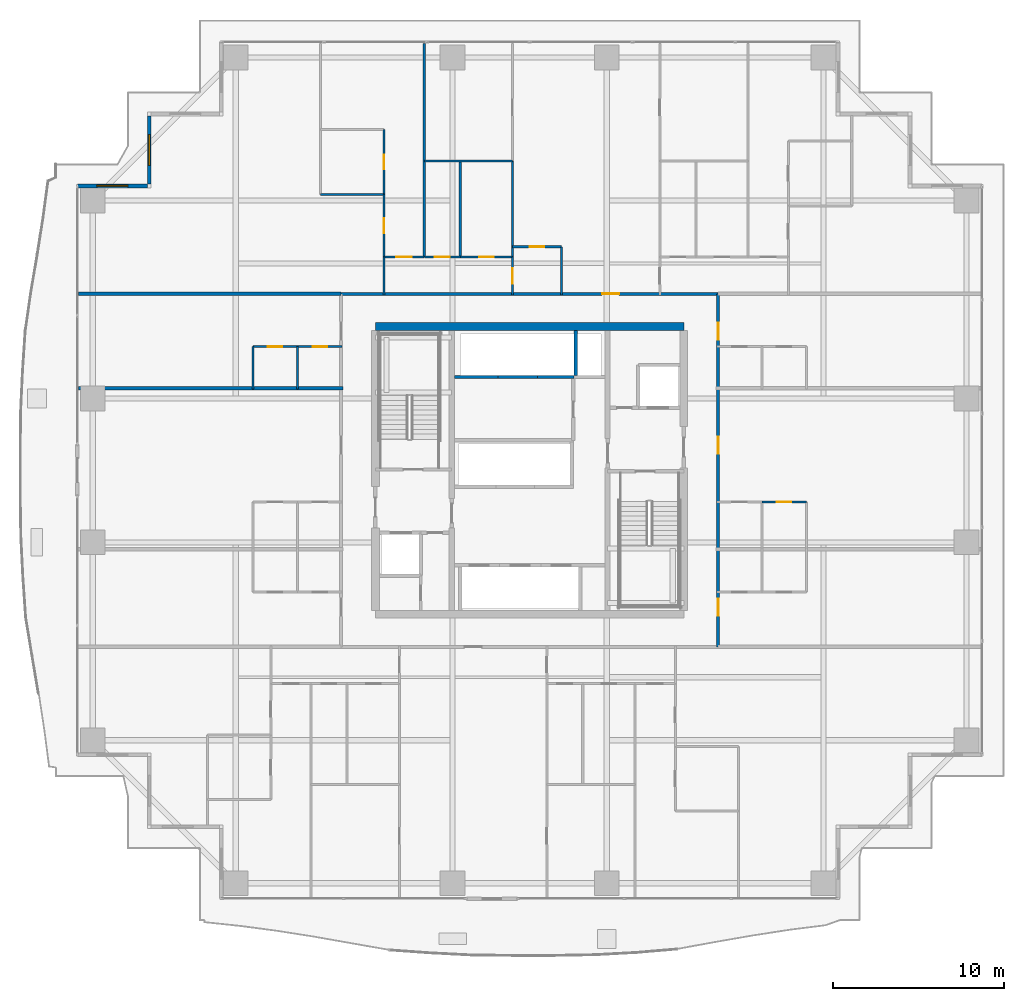
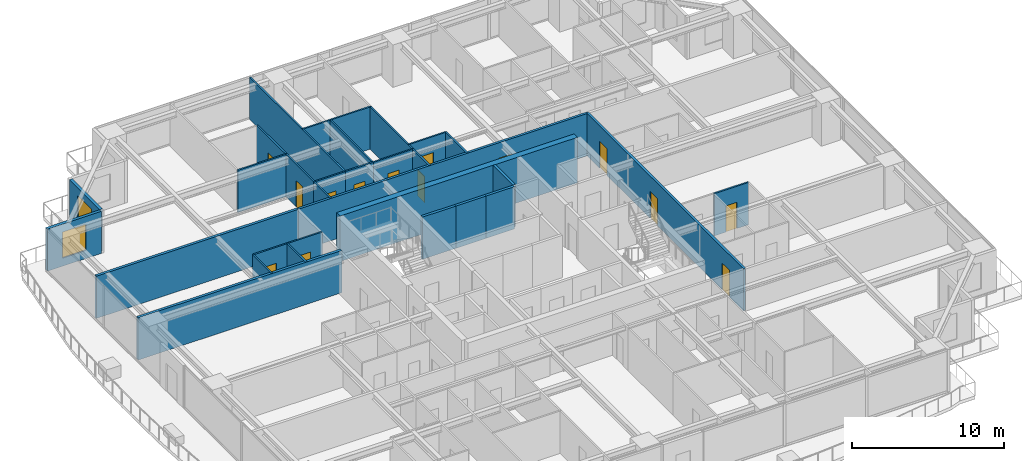
# One storey, part 30 of 40: 30 walls, 14 doors, 2 windows, 16 openings.
"""IFC4 building model written with IfcOpenShell, lengths in metres."""

from ifc_helpers import new_model, si_unit, direction, frame, frame_2d, origin, place, context, subcontext, project, spatial, rectangle, extrude, source, transform, mapped, material, layer, layer_set, type_object, element, fill, save


model = new_model("IFC4")

# Units and contexts
model_context = context("Model", 3, precision=1e-05, world=origin(), true_north=direction((0.0, 1.0)))
body_context = subcontext(model_context, "Body", "Model", "MODEL_VIEW")
ifc_project = project(units=[si_unit("LENGTHUNIT", "METRE"), si_unit("AREAUNIT", "SQUARE_METRE"), si_unit("VOLUMEUNIT", "CUBIC_METRE"), si_unit("PLANEANGLEUNIT", "RADIAN"), si_unit("MASSUNIT", "GRAM", prefix="KILO")], contexts=[model_context])

# Site, building, storey
site_placement = place(None, origin())
site = spatial("IfcSite", under=ifc_project, at=site_placement, CompositionType="ELEMENT")
building_placement = place(site_placement, origin())
building = spatial("IfcBuilding", under=site, at=building_placement, Name="Serunith Strait Residences", CompositionType="ELEMENT")
storey_placement = place(building_placement, frame((0.0, 0.0, 105.449951171875)))
storey = spatial("IfcBuildingStorey", under=building, at=storey_placement, Name="L26", CompositionType="ELEMENT", Elevation=105.449951171875)

# Wall, opening, window
ifc_material_1 = material(Name="Pale-Champagne Aluminium Insulated Panel", Category="aluminium")
ifc_layer_1 = layer(ifc_material_1, 0.219970703125, Name="Pale-Champagne Aluminium Insulated Panel")
ifc_layer_set_1 = layer_set([ifc_layer_1], Name="Pale-Champagne Aluminium Insulated Panel")
wall_type_1 = type_object("IfcWallType", Name="EW-ALUM-220", PredefinedType="ELEMENTEDWALL", material=ifc_layer_set_1)
wall_1_placement = place(storey_placement, frame((10.199951171875, 45.889892578125, 0.0), z_axis=(0.0, 0.0, 1.0), x_axis=(0.0, -1.0, 0.0)))
wall_1 = element("IfcWall", 1, at=wall_1_placement, inside=storey, type_object=wall_type_1, Name="L26 Girih Serrated Corner Wall 14", PredefinedType="ELEMENTEDWALL", context=body_context, shape_type="SweptSolid", body=[
    extrude(rectangle(XDim=3.97998046875, YDim=0.219970703125, at=frame_2d((1.989990234375, 0.0))), origin(), (0.0, 0.0, 1.0), 3.375),
])
opening_1_placement = place(wall_1_placement, frame((1.090087890625, 0.0, 0.64990234375)))
opening_1 = element("IfcOpeningElement", 2, at=opening_1_placement, cuts=wall_1, Name="Opening W-01", PredefinedType="OPENING", context=body_context, shape_type="SweptSolid", body=[
    extrude(rectangle(XDim=1.800048828125, YDim=2.10009765625, at=frame_2d((0.89990234375, 1.050048828125))), frame((0.0, 0.1201171875, 0.0), z_axis=(0.0, -1.0, 0.0), x_axis=(1.0, 0.0, 0.0)), (0.0, 0.0, 1.0), 0.239990234375),
])
ifc_material_2 = material(Name="Ceramic-Fritted Operable Aluminium Window Glass", Category="aluminium")
window_type = type_object("IfcWindowType", Name="WIN-C1", PartitioningType="DOUBLE_PANEL_VERTICAL", PredefinedType="WINDOW", material=ifc_material_2)
shared_shape_1 = source(origin(), body_context, "Body", "SweptSolid", [
    extrude(rectangle(XDim=1.800048828125, YDim=2.10009765625, at=frame_2d((0.89990234375, 1.050048828125))), frame((0.0, 0.030029296875, 0.0), z_axis=(0.0, -1.0, 0.0), x_axis=(1.0, 0.0, 0.0)), (0.0, 0.0, 1.0), 0.06005859375),
])
window_1_placement = place(opening_1_placement, origin())
window_1 = element("IfcWindow", 3, at=window_1_placement, inside=storey, type_object=window_type, Name="L26 Corner Operable Fritted Window 14", OverallHeight=2.10009765625, OverallWidth=1.800048828125, PartitioningType="SINGLE_PANEL", PredefinedType="WINDOW", context=body_context, shape_type="MappedRepresentation", body=[
    mapped(shared_shape_1, transform((0.0, 0.0, 0.0), scale=1.0)),
])
fill(opening_1, window_1)

wall_2_placement = place(storey_placement, frame((10.090087890625, 41.800048828125, 0.0), z_axis=(0.0, 0.0, 1.0), x_axis=(-1.0, 0.0, 0.0)))
wall_2 = element("IfcWall", 4, at=wall_2_placement, inside=storey, type_object=wall_type_1, Name="L26 Girih Serrated Corner Wall 15", PredefinedType="ELEMENTEDWALL", context=body_context, shape_type="SweptSolid", body=[
    extrude(rectangle(XDim=4.090087890625, YDim=0.219970703125, at=frame_2d((2.044921875, 0.0))), origin(), (0.0, 0.0, 1.0), 3.375),
])
opening_2_placement = place(wall_2_placement, frame((1.14501953125, 0.0, 0.64990234375)))
opening_2 = element("IfcOpeningElement", 5, at=opening_2_placement, cuts=wall_2, Name="Opening W-01", PredefinedType="OPENING", context=body_context, shape_type="SweptSolid", body=[
    extrude(rectangle(XDim=1.800048828125, YDim=2.10009765625, at=frame_2d((0.89990234375, 1.050048828125))), frame((0.0, 0.1201171875, 0.0), z_axis=(0.0, -1.0, 0.0), x_axis=(1.0, 0.0, 0.0)), (0.0, 0.0, 1.0), 0.239990234375),
])
window_2_placement = place(opening_2_placement, origin())
window_2 = element("IfcWindow", 6, at=window_2_placement, inside=storey, type_object=window_type, Name="L26 Corner Operable Fritted Window 15", OverallHeight=2.10009765625, OverallWidth=1.800048828125, PartitioningType="SINGLE_PANEL", PredefinedType="WINDOW", context=body_context, shape_type="MappedRepresentation", body=[
    mapped(shared_shape_1, transform((0.0, 0.0, 0.0), scale=1.0)),
])
fill(opening_2, window_2)

# Wall, opening, door
ifc_material_3 = material(Name="Fire-rated acoustic gypsum partition")
ifc_layer_2 = layer(ifc_material_3, 0.179931640625, Name="Fire-rated acoustic gypsum partition")
ifc_layer_set_2 = layer_set([ifc_layer_2], Name="Fire-rated acoustic gypsum partition")
wall_type_2 = type_object("IfcWallType", Name="IW-CORR-180", PredefinedType="PARTITIONING", material=ifc_layer_set_2)
wall_3_placement = place(storey_placement, frame((21.402099609375, 35.5, 0.0), z_axis=(0.0, 0.0, 1.0), x_axis=(1.0, 0.0, 0.0)))
wall_3 = element("IfcWall", 7, at=wall_3_placement, inside=storey, type_object=wall_type_2, Name="L26 Partition Wall 023", PredefinedType="PARTITIONING", context=body_context, shape_type="SweptSolid", body=[
    extrude(rectangle(XDim=21.995849609375, YDim=0.179931640625, at=frame_2d((10.998046875, 0.0))), origin(), (0.0, 0.0, 1.0), 3.39013671875),
])
opening_3_placement = place(wall_3_placement, frame((15.221923828125, 0.0, 0.0)))
opening_3 = element("IfcOpeningElement", 8, at=opening_3_placement, cuts=wall_3, Name="Opening D-APT1000", PredefinedType="OPENING", context=body_context, shape_type="SweptSolid", body=[
    extrude(rectangle(XDim=1.0, YDim=2.14990234375, at=frame_2d((0.5, 1.074951171875))), frame((0.0, 0.10009765625, 0.0), z_axis=(0.0, -1.0, 0.0), x_axis=(1.0, 0.0, 0.0)), (0.0, 0.0, 1.0), 0.199951171875),
])
ifc_material_4 = material(Name="Solid timber engineered fire door", Category="wood")
door_type_1 = type_object("IfcDoorType", Name="ID-APT-1000", OperationType="NOTDEFINED", PredefinedType="DOOR", material=ifc_material_4)
shared_shape_2 = source(origin(), body_context, "Body", "SweptSolid", [
    extrude(rectangle(XDim=1.0, YDim=2.14990234375, at=frame_2d((0.5, 1.074951171875))), frame((0.0, 0.02490234375, 0.0), z_axis=(0.0, -1.0, 0.0), x_axis=(1.0, 0.0, 0.0)), (0.0, 0.0, 1.0), 0.050048828125),
])
door_1_placement = place(opening_3_placement, origin())
door_1 = element("IfcDoor", 9, at=door_1_placement, inside=storey, type_object=door_type_1, Name="L26 Unit 02 Entrance Door", OperationType="SINGLE_SWING_LEFT", OverallHeight=2.14990234375, OverallWidth=1.0, PredefinedType="DOOR", context=body_context, shape_type="MappedRepresentation", body=[
    mapped(shared_shape_2, transform((0.0, 0.0, 0.0), scale=1.0)),
])
fill(opening_3, door_1)

# Wall, openings, doors
wall_4_placement = place(storey_placement, frame((43.39990234375, 14.89990234375, 0.0), z_axis=(0.0, 0.0, 1.0), x_axis=(0.0, 1.0, 0.0)))
wall_4 = element("IfcWall", 10, at=wall_4_placement, inside=storey, type_object=wall_type_2, Name="L26 Partition Wall 025", PredefinedType="PARTITIONING", context=body_context, shape_type="SweptSolid", body=[
    extrude(rectangle(XDim=20.60009765625, YDim=0.179931640625, at=frame_2d((10.300048828125, 0.0))), origin(), (0.0, 0.0, 1.0), 3.39013671875),
])
opening_4_placement = place(wall_4_placement, frame((1.820068359375, 0.0, 0.0)))
opening_4 = element("IfcOpeningElement", 11, at=opening_4_placement, cuts=wall_4, Name="Opening D-APT1000", PredefinedType="OPENING", context=body_context, shape_type="SweptSolid", body=[
    extrude(rectangle(XDim=1.0, YDim=2.14990234375, at=frame_2d((0.5, 1.074951171875))), frame((0.0, 0.10009765625, 0.0), z_axis=(0.0, -1.0, 0.0), x_axis=(1.0, 0.0, 0.0)), (0.0, 0.0, 1.0), 0.199951171875),
])
opening_5_placement = place(wall_4_placement, frame((11.27001953125, 0.0, 0.0)))
opening_5 = element("IfcOpeningElement", 12, at=opening_5_placement, cuts=wall_4, Name="Opening D-APT1000", PredefinedType="OPENING", context=body_context, shape_type="SweptSolid", body=[
    extrude(rectangle(XDim=1.0, YDim=2.14990234375, at=frame_2d((0.5, 1.074951171875))), frame((0.0, 0.10009765625, 0.0), z_axis=(0.0, -1.0, 0.0), x_axis=(1.0, 0.0, 0.0)), (0.0, 0.0, 1.0), 0.199951171875),
])
opening_6_placement = place(wall_4_placement, frame((17.919921875, 0.0, 0.0)))
opening_6 = element("IfcOpeningElement", 13, at=opening_6_placement, cuts=wall_4, Name="Opening D-APT1000", PredefinedType="OPENING", context=body_context, shape_type="SweptSolid", body=[
    extrude(rectangle(XDim=1.0, YDim=2.14990234375, at=frame_2d((0.5, 1.074951171875))), frame((0.0, 0.10009765625, 0.0), z_axis=(0.0, -1.0, 0.0), x_axis=(1.0, 0.0, 0.0)), (0.0, 0.0, 1.0), 0.199951171875),
])
door_2_placement = place(opening_4_placement, origin())
door_2 = element("IfcDoor", 14, at=door_2_placement, inside=storey, type_object=door_type_1, Name="L26 Unit 06 Entrance Door", OperationType="SINGLE_SWING_LEFT", OverallHeight=2.14990234375, OverallWidth=1.0, PredefinedType="DOOR", context=body_context, shape_type="MappedRepresentation", body=[
    mapped(shared_shape_2, transform((0.0, 0.0, 0.0), scale=1.0)),
])
fill(opening_4, door_2)
door_3_placement = place(opening_5_placement, origin())
door_3 = element("IfcDoor", 15, at=door_3_placement, inside=storey, type_object=door_type_1, Name="L26 Unit 07 Entrance Door", OperationType="SINGLE_SWING_RIGHT", OverallHeight=2.14990234375, OverallWidth=1.0, PredefinedType="DOOR", context=body_context, shape_type="MappedRepresentation", body=[
    mapped(shared_shape_2, transform((0.0, 0.0, 0.0), scale=1.0)),
])
fill(opening_5, door_3)
door_4_placement = place(opening_6_placement, origin())
door_4 = element("IfcDoor", 16, at=door_4_placement, inside=storey, type_object=door_type_1, Name="L26 Unit 08 Entrance Door", OperationType="SINGLE_SWING_LEFT", OverallHeight=2.14990234375, OverallWidth=1.0, PredefinedType="DOOR", context=body_context, shape_type="MappedRepresentation", body=[
    mapped(shared_shape_2, transform((0.0, 0.0, 0.0), scale=1.0)),
])
fill(opening_6, door_4)

# Wall, opening, door
ifc_material_5 = material(Name="Lightweight steel-stud gypsum partition", Category="steel")
ifc_layer_3 = layer(ifc_material_5, 0.1201171875, Name="Lightweight steel-stud gypsum partition")
ifc_layer_set_3 = layer_set([ifc_layer_3], Name="Lightweight steel-stud gypsum partition")
wall_type_3 = type_object("IfcWallType", Name="IW-PART-120", PredefinedType="PARTITIONING", material=ifc_layer_set_3)
wall_5_placement = place(storey_placement, frame((31.39990234375, 38.25, 0.0), z_axis=(0.0, 0.0, 1.0), x_axis=(1.0, 0.0, 0.0)))
wall_5 = element("IfcWall", 17, at=wall_5_placement, inside=storey, type_object=wall_type_3, Name="L26 Partition Wall 056", PredefinedType="PARTITIONING", context=body_context, shape_type="SweptSolid", body=[
    extrude(rectangle(XDim=2.85009765625, YDim=0.1201171875, at=frame_2d((1.425048828125, 0.0))), origin(), (0.0, 0.0, 1.0), 3.39013671875),
])
opening_7_placement = place(wall_5_placement, frame((1.0, 0.0, 0.0)))
opening_7 = element("IfcOpeningElement", 18, at=opening_7_placement, cuts=wall_5, Name="Opening D-RM850", PredefinedType="OPENING", context=body_context, shape_type="SweptSolid", body=[
    extrude(rectangle(XDim=0.85009765625, YDim=2.10009765625, at=frame_2d((0.425048828125, 1.050048828125))), frame((0.0, 0.070068359375, 0.0), z_axis=(0.0, -1.0, 0.0), x_axis=(1.0, 0.0, 0.0)), (0.0, 0.0, 1.0), 0.14013671875),
])
ifc_material_6 = material(Name="Engineered timber flush study and kitchen door", Category="wood")
door_type_2 = type_object("IfcDoorType", Name="ID-ROOM-850", OperationType="NOTDEFINED", PredefinedType="DOOR", material=ifc_material_6)
shared_shape_3 = source(origin(), body_context, "Body", "SweptSolid", [
    extrude(rectangle(XDim=0.85009765625, YDim=2.10009765625, at=frame_2d((0.425048828125, 1.050048828125))), frame((0.0, 0.02490234375, 0.0), z_axis=(0.0, -1.0, 0.0), x_axis=(1.0, 0.0, 0.0)), (0.0, 0.0, 1.0), 0.050048828125),
])
door_5_placement = place(opening_7_placement, origin())
door_5 = element("IfcDoor", 19, at=door_5_placement, inside=storey, type_object=door_type_2, Name="L26 Kitchen 2602 Door", OperationType="SINGLE_SWING_RIGHT", OverallHeight=2.10009765625, OverallWidth=0.85009765625, PredefinedType="DOOR", context=body_context, shape_type="MappedRepresentation", body=[
    mapped(shared_shape_3, transform((0.0, 0.0, 0.0), scale=1.0)),
])
fill(opening_7, door_5)

# Wall
wall_6_placement = place(storey_placement, frame((34.25, 38.25, 0.0), z_axis=(0.0, 0.0, 1.0), x_axis=(0.0, -1.0, 0.0)))
element("IfcWall", 20, at=wall_6_placement, inside=storey, type_object=wall_type_3, Name="L26 Partition Wall 057", PredefinedType="PARTITIONING", context=body_context, shape_type="SweptSolid", body=[
    extrude(rectangle(XDim=2.81005859375, YDim=0.1201171875, at=frame_2d((1.405029296875, 0.0))), origin(), (0.0, 0.0, 1.0), 3.39013671875),
])

# Wall, opening, door
wall_7_placement = place(storey_placement, frame((31.39990234375, 37.64990234375, 0.0), z_axis=(0.0, 0.0, 1.0), x_axis=(0.0, -1.0, 0.0)))
wall_7 = element("IfcWall", 21, at=wall_7_placement, inside=storey, type_object=wall_type_3, Name="L26 Partition Wall 058", PredefinedType="PARTITIONING", context=body_context, shape_type="SweptSolid", body=[
    extrude(rectangle(XDim=2.2099609375, YDim=0.1201171875, at=frame_2d((1.10498046875, 0.0))), origin(), (0.0, 0.0, 1.0), 3.39013671875),
])
opening_8_placement = place(wall_7_placement, frame((0.655029296875, 0.0, 0.0)))
opening_8 = element("IfcOpeningElement", 22, at=opening_8_placement, cuts=wall_7, Name="Opening D-RM900", PredefinedType="OPENING", context=body_context, shape_type="SweptSolid", body=[
    extrude(rectangle(XDim=0.89990234375, YDim=2.10009765625, at=frame_2d((0.449951171875, 1.050048828125))), frame((0.0, 0.070068359375, 0.0), z_axis=(0.0, -1.0, 0.0), x_axis=(1.0, 0.0, 0.0)), (0.0, 0.0, 1.0), 0.14013671875),
])
ifc_material_7 = material(Name="Engineered timber flush bedroom door", Category="wood")
door_type_3 = type_object("IfcDoorType", Name="ID-ROOM-900", OperationType="NOTDEFINED", PredefinedType="DOOR", material=ifc_material_7)
shared_shape_4 = source(origin(), body_context, "Body", "SweptSolid", [
    extrude(rectangle(XDim=0.89990234375, YDim=2.10009765625, at=frame_2d((0.449951171875, 1.050048828125))), frame((0.0, 0.02490234375, 0.0), z_axis=(0.0, -1.0, 0.0), x_axis=(1.0, 0.0, 0.0)), (0.0, 0.0, 1.0), 0.050048828125),
])
door_6_placement = place(opening_8_placement, origin())
door_6 = element("IfcDoor", 23, at=door_6_placement, inside=storey, type_object=door_type_3, Name="L26 Hall W 2602 Door", OperationType="SINGLE_SWING_LEFT", OverallHeight=2.10009765625, OverallWidth=0.89990234375, PredefinedType="DOOR", context=body_context, shape_type="MappedRepresentation", body=[
    mapped(shared_shape_4, transform((0.0, 0.0, 0.0), scale=1.0)),
])
fill(opening_8, door_6)

# Walls
wall_8_placement = place(storey_placement, frame((31.39990234375, 43.251953125, 0.0), z_axis=(0.0, 0.0, 1.0), x_axis=(0.0, -1.0, 0.0)))
element("IfcWall", 24, at=wall_8_placement, inside=storey, type_object=wall_type_3, Name="L26 Partition Wall 060", PredefinedType="PARTITIONING", context=body_context, shape_type="SweptSolid", body=[
    extrude(rectangle(XDim=5.599853515625, YDim=0.1201171875, at=frame_2d((2.7998046875, 0.0))), origin(), (0.0, 0.0, 1.0), 3.39013671875),
])
wall_9_placement = place(storey_placement, frame((26.25, 43.25390625, 0.0), z_axis=(0.0, 0.0, 1.0), x_axis=(1.0, 0.0, 0.0)))
element("IfcWall", 25, at=wall_9_placement, inside=storey, type_object=wall_type_3, Name="L26 Partition Wall 061", PredefinedType="PARTITIONING", context=body_context, shape_type="SweptSolid", body=[
    extrude(rectangle(XDim=5.14990234375, YDim=0.1201171875, at=frame_2d((2.574951171875, 0.0))), origin(), (0.0, 0.0, 1.0), 3.39013671875),
])
wall_10_placement = place(storey_placement, frame((26.25, 50.10498046875, 0.0), z_axis=(0.0, 0.0, 1.0), x_axis=(0.0, -1.0, 0.0)))
element("IfcWall", 26, at=wall_10_placement, inside=storey, type_object=wall_type_3, Name="L26 Partition Wall 062", PredefinedType="PARTITIONING", context=body_context, shape_type="SweptSolid", body=[
    extrude(rectangle(XDim=12.455078125, YDim=0.1201171875, at=frame_2d((6.2275390625, 0.0))), origin(), (0.0, 0.0, 1.0), 3.39013671875),
])
wall_11_placement = place(storey_placement, frame((28.35009765625, 43.25390625, 0.0), z_axis=(0.0, 0.0, 1.0), x_axis=(0.0, -1.0, 0.0)))
element("IfcWall", 27, at=wall_11_placement, inside=storey, type_object=wall_type_3, Name="L26 Partition Wall 063", PredefinedType="PARTITIONING", context=body_context, shape_type="SweptSolid", body=[
    extrude(rectangle(XDim=5.60400390625, YDim=0.1201171875, at=frame_2d((2.802001953125, 0.0))), origin(), (0.0, 0.0, 1.0), 3.39013671875),
])

# Wall, opening, door
wall_12_placement = place(storey_placement, frame((26.25, 37.64990234375, 0.0), z_axis=(0.0, 0.0, 1.0), x_axis=(1.0, 0.0, 0.0)))
wall_12 = element("IfcWall", 28, at=wall_12_placement, inside=storey, type_object=wall_type_3, Name="L26 Partition Wall 064", PredefinedType="PARTITIONING", context=body_context, shape_type="SweptSolid", body=[
    extrude(rectangle(XDim=2.10009765625, YDim=0.1201171875, at=frame_2d((1.050048828125, 0.0))), origin(), (0.0, 0.0, 1.0), 3.39013671875),
])
opening_9_placement = place(wall_12_placement, frame((0.625, 0.0, 0.0)))
opening_9 = element("IfcOpeningElement", 29, at=opening_9_placement, cuts=wall_12, Name="Opening D-BTH850", PredefinedType="OPENING", context=body_context, shape_type="SweptSolid", body=[
    extrude(rectangle(XDim=0.85009765625, YDim=2.10009765625, at=frame_2d((0.425048828125, 1.050048828125))), frame((0.0, 0.070068359375, 0.0), z_axis=(0.0, -1.0, 0.0), x_axis=(1.0, 0.0, 0.0)), (0.0, 0.0, 1.0), 0.14013671875),
])
ifc_material_8 = material(Name="Moisture-resistant timber bathroom door", Category="wood")
door_type_4 = type_object("IfcDoorType", Name="ID-BATH-850", OperationType="NOTDEFINED", PredefinedType="DOOR", material=ifc_material_8)
door_7_placement = place(opening_9_placement, origin())
door_7 = element("IfcDoor", 30, at=door_7_placement, inside=storey, type_object=door_type_4, Name="L26 Bathroom 2602 Door", OperationType="SINGLE_SWING_LEFT", OverallHeight=2.10009765625, OverallWidth=0.85009765625, PredefinedType="DOOR", context=body_context, shape_type="MappedRepresentation", body=[
    mapped(shared_shape_3, transform((0.0, 0.0, 0.0), scale=1.0)),
])
fill(opening_9, door_7)

wall_13_placement = place(storey_placement, frame((28.35205078125, 37.64990234375, 0.0), z_axis=(0.0, 0.0, 1.0), x_axis=(1.0, 0.0, 0.0)))
wall_13 = element("IfcWall", 31, at=wall_13_placement, inside=storey, type_object=wall_type_3, Name="L26 Partition Wall 065", PredefinedType="PARTITIONING", context=body_context, shape_type="SweptSolid", body=[
    extrude(rectangle(XDim=3.0478515625, YDim=0.1201171875, at=frame_2d((1.52392578125, 0.0))), origin(), (0.0, 0.0, 1.0), 3.39013671875),
])
opening_10_placement = place(wall_13_placement, frame((1.09912109375, 0.0, 0.0)))
opening_10 = element("IfcOpeningElement", 32, at=opening_10_placement, cuts=wall_13, Name="Opening D-RM850", PredefinedType="OPENING", context=body_context, shape_type="SweptSolid", body=[
    extrude(rectangle(XDim=0.85009765625, YDim=2.10009765625, at=frame_2d((0.425048828125, 1.050048828125))), frame((0.0, 0.070068359375, 0.0), z_axis=(0.0, -1.0, 0.0), x_axis=(1.0, 0.0, 0.0)), (0.0, 0.0, 1.0), 0.14013671875),
])
door_8_placement = place(opening_10_placement, origin())
door_8 = element("IfcDoor", 33, at=door_8_placement, inside=storey, type_object=door_type_2, Name="L26 Formal Dining Room 2602 Door", OperationType="SINGLE_SWING_RIGHT", OverallHeight=2.10009765625, OverallWidth=0.85009765625, PredefinedType="DOOR", context=body_context, shape_type="MappedRepresentation", body=[
    mapped(shared_shape_3, transform((0.0, 0.0, 0.0), scale=1.0)),
])
fill(opening_10, door_8)

wall_14_placement = place(storey_placement, frame((23.89990234375, 37.64990234375, 0.0), z_axis=(0.0, 0.0, 1.0), x_axis=(1.0, 0.0, 0.0)))
wall_14 = element("IfcWall", 34, at=wall_14_placement, inside=storey, type_object=wall_type_3, Name="L26 Partition Wall 066", PredefinedType="PARTITIONING", context=body_context, shape_type="SweptSolid", body=[
    extrude(rectangle(XDim=2.34814453125, YDim=0.1201171875, at=frame_2d((1.174072265625, 0.0))), origin(), (0.0, 0.0, 1.0), 3.39013671875),
])
opening_11_placement = place(wall_14_placement, frame((0.72412109375, 0.0, 0.0)))
opening_11 = element("IfcOpeningElement", 35, at=opening_11_placement, cuts=wall_14, Name="Opening D-RM900", PredefinedType="OPENING", context=body_context, shape_type="SweptSolid", body=[
    extrude(rectangle(XDim=0.89990234375, YDim=2.10009765625, at=frame_2d((0.449951171875, 1.050048828125))), frame((0.0, 0.070068359375, 0.0), z_axis=(0.0, -1.0, 0.0), x_axis=(1.0, 0.0, 0.0)), (0.0, 0.0, 1.0), 0.14013671875),
])
door_9_placement = place(opening_11_placement, origin())
door_9 = element("IfcDoor", 36, at=door_9_placement, inside=storey, type_object=door_type_3, Name="L26 Master Bedroom W 2602 Door", OperationType="SINGLE_SWING_LEFT", OverallHeight=2.10009765625, OverallWidth=0.89990234375, PredefinedType="DOOR", context=body_context, shape_type="MappedRepresentation", body=[
    mapped(shared_shape_4, transform((0.0, 0.0, 0.0), scale=1.0)),
])
fill(opening_11, door_9)

# Wall
wall_15_placement = place(storey_placement, frame((20.199951171875, 41.306884765625, 0.0), z_axis=(0.0, 0.0, 1.0), x_axis=(1.0, 0.0, 0.0)))
element("IfcWall", 37, at=wall_15_placement, inside=storey, type_object=wall_type_3, Name="L26 Partition Wall 069", PredefinedType="PARTITIONING", context=body_context, shape_type="SweptSolid", body=[
    extrude(rectangle(XDim=3.699951171875, YDim=0.1201171875, at=frame_2d((1.85009765625, 0.0))), origin(), (0.0, 0.0, 1.0), 3.39013671875),
])

# Wall, opening, door
wall_16_placement = place(storey_placement, frame((23.89990234375, 45.091064453125, 0.0), z_axis=(0.0, 0.0, 1.0), x_axis=(0.0, -1.0, 0.0)))
wall_16 = element("IfcWall", 38, at=wall_16_placement, inside=storey, type_object=wall_type_3, Name="L26 Partition Wall 070", PredefinedType="PARTITIONING", context=body_context, shape_type="SweptSolid", body=[
    extrude(rectangle(XDim=3.7841796875, YDim=0.1201171875, at=frame_2d((1.89208984375, 0.0))), origin(), (0.0, 0.0, 1.0), 3.39013671875),
])
opening_12_placement = place(wall_16_placement, frame((1.467041015625, 0.0, 0.0)))
opening_12 = element("IfcOpeningElement", 39, at=opening_12_placement, cuts=wall_16, Name="Opening D-BTH850", PredefinedType="OPENING", context=body_context, shape_type="SweptSolid", body=[
    extrude(rectangle(XDim=0.85009765625, YDim=2.10009765625, at=frame_2d((0.425048828125, 1.050048828125))), frame((0.0, 0.070068359375, 0.0), z_axis=(0.0, -1.0, 0.0), x_axis=(1.0, 0.0, 0.0)), (0.0, 0.0, 1.0), 0.14013671875),
])
door_10_placement = place(opening_12_placement, origin())
door_10 = element("IfcDoor", 40, at=door_10_placement, inside=storey, type_object=door_type_4, Name="L26 En-suite Bathroom W 2602 Door", OperationType="SINGLE_SWING_RIGHT", OverallHeight=2.10009765625, OverallWidth=0.85009765625, PredefinedType="DOOR", context=body_context, shape_type="MappedRepresentation", body=[
    mapped(shared_shape_3, transform((0.0, 0.0, 0.0), scale=1.0)),
])
fill(opening_12, door_10)

wall_17_placement = place(storey_placement, frame((23.89990234375, 41.304931640625, 0.0), z_axis=(0.0, 0.0, 1.0), x_axis=(0.0, -1.0, 0.0)))
wall_17 = element("IfcWall", 41, at=wall_17_placement, inside=storey, type_object=wall_type_3, Name="L26 Partition Wall 071", PredefinedType="PARTITIONING", context=body_context, shape_type="SweptSolid", body=[
    extrude(rectangle(XDim=3.655029296875, YDim=0.1201171875, at=frame_2d((1.82763671875, 0.0))), origin(), (0.0, 0.0, 1.0), 3.39013671875),
])
opening_13_placement = place(wall_17_placement, frame((1.403076171875, 0.0, 0.0)))
opening_13 = element("IfcOpeningElement", 42, at=opening_13_placement, cuts=wall_17, Name="Opening D-RM850", PredefinedType="OPENING", context=body_context, shape_type="SweptSolid", body=[
    extrude(rectangle(XDim=0.85009765625, YDim=2.10009765625, at=frame_2d((0.425048828125, 1.050048828125))), frame((0.0, 0.070068359375, 0.0), z_axis=(0.0, -1.0, 0.0), x_axis=(1.0, 0.0, 0.0)), (0.0, 0.0, 1.0), 0.14013671875),
])
door_11_placement = place(opening_13_placement, origin())
door_11 = element("IfcDoor", 43, at=door_11_placement, inside=storey, type_object=door_type_2, Name="L26 Wardrobe W 2602 Door", OperationType="SINGLE_SWING_LEFT", OverallHeight=2.10009765625, OverallWidth=0.85009765625, PredefinedType="DOOR", context=body_context, shape_type="MappedRepresentation", body=[
    mapped(shared_shape_3, transform((0.0, 0.0, 0.0), scale=1.0)),
])
fill(opening_13, door_11)

# Wall
wall_18_placement = place(storey_placement, frame((23.89990234375, 37.64794921875, 0.0), z_axis=(0.0, 0.0, 1.0), x_axis=(0.0, -1.0, 0.0)))
element("IfcWall", 44, at=wall_18_placement, inside=storey, type_object=wall_type_3, Name="L26 Partition Wall 072", PredefinedType="PARTITIONING", context=body_context, shape_type="SweptSolid", body=[
    extrude(rectangle(XDim=2.2080078125, YDim=0.1201171875, at=frame_2d((1.10400390625, 0.0))), origin(), (0.0, 0.0, 1.0), 3.39013671875),
])

# Wall, opening, door
wall_19_placement = place(storey_placement, frame((16.25, 32.419921875, 0.0), z_axis=(0.0, 0.0, 1.0), x_axis=(1.0, 0.0, 0.0)))
wall_19 = element("IfcWall", 45, at=wall_19_placement, inside=storey, type_object=wall_type_3, Name="L26 Partition Wall 096", PredefinedType="PARTITIONING", context=body_context, shape_type="SweptSolid", body=[
    extrude(rectangle(XDim=2.60009765625, YDim=0.1201171875, at=frame_2d((1.300048828125, 0.0))), origin(), (0.0, 0.0, 1.0), 3.39013671875),
])
opening_14_placement = place(wall_19_placement, frame((0.875, 0.0, 0.0)))
opening_14 = element("IfcOpeningElement", 46, at=opening_14_placement, cuts=wall_19, Name="Opening D-RM850", PredefinedType="OPENING", context=body_context, shape_type="SweptSolid", body=[
    extrude(rectangle(XDim=0.85009765625, YDim=2.10009765625, at=frame_2d((0.425048828125, 1.050048828125))), frame((0.0, 0.070068359375, 0.0), z_axis=(0.0, -1.0, 0.0), x_axis=(1.0, 0.0, 0.0)), (0.0, 0.0, 1.0), 0.14013671875),
])
door_12_placement = place(opening_14_placement, origin())
door_12 = element("IfcDoor", 47, at=door_12_placement, inside=storey, type_object=door_type_2, Name="L26 Kitchen 2605 Door", OperationType="SINGLE_SWING_LEFT", OverallHeight=2.10009765625, OverallWidth=0.85009765625, PredefinedType="DOOR", context=body_context, shape_type="MappedRepresentation", body=[
    mapped(shared_shape_3, transform((0.0, 0.0, 0.0), scale=1.0)),
])
fill(opening_14, door_12)

wall_20_placement = place(storey_placement, frame((18.85205078125, 32.419921875, 0.0), z_axis=(0.0, 0.0, 1.0), x_axis=(1.0, 0.0, 0.0)))
wall_20 = element("IfcWall", 48, at=wall_20_placement, inside=storey, type_object=wall_type_3, Name="L26 Partition Wall 097", PredefinedType="PARTITIONING", context=body_context, shape_type="SweptSolid", body=[
    extrude(rectangle(XDim=2.60791015625, YDim=0.1201171875, at=frame_2d((1.303955078125, 0.0))), origin(), (0.0, 0.0, 1.0), 3.39013671875),
])
opening_15_placement = place(wall_20_placement, frame((0.87890625, 0.0, 0.0)))
opening_15 = element("IfcOpeningElement", 49, at=opening_15_placement, cuts=wall_20, Name="Opening D-BTH850", PredefinedType="OPENING", context=body_context, shape_type="SweptSolid", body=[
    extrude(rectangle(XDim=0.85009765625, YDim=2.10009765625, at=frame_2d((0.425048828125, 1.050048828125))), frame((0.0, 0.070068359375, 0.0), z_axis=(0.0, -1.0, 0.0), x_axis=(1.0, 0.0, 0.0)), (0.0, 0.0, 1.0), 0.14013671875),
])
door_13_placement = place(opening_15_placement, origin())
door_13 = element("IfcDoor", 50, at=door_13_placement, inside=storey, type_object=door_type_4, Name="L26 Bathroom 2605 Door", OperationType="SINGLE_SWING_RIGHT", OverallHeight=2.10009765625, OverallWidth=0.85009765625, PredefinedType="DOOR", context=body_context, shape_type="MappedRepresentation", body=[
    mapped(shared_shape_3, transform((0.0, 0.0, 0.0), scale=1.0)),
])
fill(opening_15, door_13)

# Walls
for number, where, z_axis, x_axis, name in (
    (51, (18.85009765625, 29.93994140625, 0.0), (0.0, 0.0, 1.0), (0.0, 1.0, 0.0), "L26 Partition Wall 098"),
    (52, (16.25, 29.93994140625, 0.0), (0.0, 0.0, 1.0), (0.0, 1.0, 0.0), "L26 Partition Wall 099"),
):
    element("IfcWall", number, at=place(storey_placement, frame(where, z_axis=z_axis, x_axis=x_axis)), inside=storey, type_object=wall_type_3, Name=name, PredefinedType="PARTITIONING", context=body_context, shape_type="SweptSolid", body=[
        extrude(rectangle(XDim=2.47998046875, YDim=0.1201171875, at=frame_2d((1.239990234375, 0.0))), origin(), (0.0, 0.0, 1.0), 3.39013671875),
    ])

# Wall, opening, door
wall_21_placement = place(storey_placement, frame((48.550048828125, 23.35009765625, 0.0), z_axis=(0.0, 0.0, 1.0), x_axis=(-1.0, 0.0, 0.0)))
wall_21 = element("IfcWall", 53, at=wall_21_placement, inside=storey, type_object=wall_type_3, Name="L26 Partition Wall 104", PredefinedType="PARTITIONING", context=body_context, shape_type="SweptSolid", body=[
    extrude(rectangle(XDim=2.60009765625, YDim=0.1201171875, at=frame_2d((1.300048828125, 0.0))), origin(), (0.0, 0.0, 1.0), 3.39013671875),
])
opening_16_placement = place(wall_21_placement, frame((0.875, 0.0, 0.0)))
opening_16 = element("IfcOpeningElement", 54, at=opening_16_placement, cuts=wall_21, Name="Opening D-RM850", PredefinedType="OPENING", context=body_context, shape_type="SweptSolid", body=[
    extrude(rectangle(XDim=0.85009765625, YDim=2.10009765625, at=frame_2d((0.425048828125, 1.050048828125))), frame((0.0, 0.070068359375, 0.0), z_axis=(0.0, -1.0, 0.0), x_axis=(1.0, 0.0, 0.0)), (0.0, 0.0, 1.0), 0.14013671875),
])
door_14_placement = place(opening_16_placement, origin())
door_14 = element("IfcDoor", 55, at=door_14_placement, inside=storey, type_object=door_type_2, Name="L26 Kitchen 2607 Door", OperationType="SINGLE_SWING_LEFT", OverallHeight=2.10009765625, OverallWidth=0.85009765625, PredefinedType="DOOR", context=body_context, shape_type="MappedRepresentation", body=[
    mapped(shared_shape_3, transform((0.0, 0.0, 0.0), scale=1.0)),
])
fill(opening_16, door_14)

# Walls
ifc_material_9 = material(Name="Twin-stud acoustic gypsum board partition")
ifc_layer_4 = layer(ifc_material_9, 0.199951171875, Name="Twin-stud acoustic gypsum board partition")
ifc_layer_set_4 = layer_set([ifc_layer_4], Name="Twin-stud acoustic gypsum board partition")
wall_type_4 = type_object("IfcWallType", Name="IW-PARTY-200", PredefinedType="PARTITIONING", material=ifc_layer_set_4)
wall_22_placement = place(storey_placement, frame((6.08203125, 30.0, 0.0), z_axis=(0.0, 0.0, 1.0), x_axis=(1.0, 0.0, 0.0)))
element("IfcWall", 56, at=wall_22_placement, inside=storey, type_object=wall_type_4, Name="L26 Partition Wall 015", PredefinedType="PARTITIONING", context=body_context, shape_type="SweptSolid", body=[
    extrude(rectangle(XDim=15.43798828125, YDim=0.199951171875, at=frame_2d((7.718994140625, 0.0))), origin(), (0.0, 0.0, 1.0), 3.39013671875),
])
wall_23_placement = place(storey_placement, frame((6.08203125, 35.5, 0.0), z_axis=(0.0, 0.0, 1.0), x_axis=(1.0, 0.0, 0.0)))
element("IfcWall", 57, at=wall_23_placement, inside=storey, type_object=wall_type_4, Name="L26 Partition Wall 020", PredefinedType="PARTITIONING", context=body_context, shape_type="SweptSolid", body=[
    extrude(rectangle(XDim=15.31787109375, YDim=0.199951171875, at=frame_2d((7.658935546875, 0.0))), origin(), (0.0, 0.0, 1.0), 3.39013671875),
])
ifc_material_10 = material(Name="Autoclaved aerated concrete blockwork", Category="masonry")
ifc_layer_5 = layer(ifc_material_10, 0.199951171875, Name="Autoclaved aerated concrete blockwork")
ifc_layer_set_5 = layer_set([ifc_layer_5], Name="Autoclaved aerated concrete blockwork")
wall_type_5 = type_object("IfcWallType", Name="IW-SHAFT-200", PredefinedType="STANDARD", material=ifc_layer_set_5)
wall_24_placement = place(storey_placement, frame((28.0, 30.64990234375, 0.0), z_axis=(0.0, 0.0, 1.0), x_axis=(1.0, 0.0, 0.0)))
element("IfcWall", 58, at=wall_24_placement, inside=storey, type_object=wall_type_5, Name="L26 PL-7 South Shaft Wall", PredefinedType="STANDARD", context=body_context, shape_type="SweptSolid", body=[
    extrude(rectangle(XDim=2.550048828125, YDim=0.199951171875, at=frame_2d((1.27490234375, 0.0))), origin(), (0.0, 0.0, 1.0), 3.39013671875),
])
wall_25_placement = place(storey_placement, frame((30.550048828125, 30.64990234375, 0.0), z_axis=(0.0, 0.0, 1.0), x_axis=(1.0, 0.0, 0.0)))
element("IfcWall", 59, at=wall_25_placement, inside=storey, type_object=wall_type_5, Name="L26 PL-8 South Shaft Wall", PredefinedType="STANDARD", context=body_context, shape_type="SweptSolid", body=[
    extrude(rectangle(XDim=2.300048828125, YDim=0.199951171875, at=frame_2d((1.14990234375, 0.0))), origin(), (0.0, 0.0, 1.0), 3.39013671875),
])
wall_26_placement = place(storey_placement, frame((32.85009765625, 30.64990234375, 0.0), z_axis=(0.0, 0.0, 1.0), x_axis=(1.0, 0.0, 0.0)))
element("IfcWall", 60, at=wall_26_placement, inside=storey, type_object=wall_type_5, Name="L26 PL-9 South Shaft Wall", PredefinedType="STANDARD", context=body_context, shape_type="SweptSolid", body=[
    extrude(rectangle(XDim=2.14990234375, YDim=0.199951171875, at=frame_2d((1.074951171875, 0.0))), origin(), (0.0, 0.0, 1.0), 3.39013671875),
])
wall_27_placement = place(storey_placement, frame((35.10009765625, 30.75, 0.0), z_axis=(0.0, 0.0, 1.0), x_axis=(0.0, 1.0, 0.0)))
element("IfcWall", 61, at=wall_27_placement, inside=storey, type_object=wall_type_5, Name="L26 SL-1 West Shaft Wall", PredefinedType="STANDARD", context=body_context, shape_type="SweptSolid", body=[
    extrude(rectangle(XDim=2.625, YDim=0.199951171875, at=frame_2d((1.3125, 0.0))), origin(), (0.0, 0.0, 1.0), 3.39013671875),
])
ifc_material_11 = material(Name="Concrete C80/95", Category="concrete")
ifc_layer_6 = layer(ifc_material_11, 0.449951171875, Name="Concrete C80/95")
ifc_layer_set_6 = layer_set([ifc_layer_6], Name="Concrete C80/95")
wall_type_6 = type_object("IfcWallType", Name="SW-450-C80", PredefinedType="SHEAR", material=ifc_layer_set_6)
wall_28_placement = place(storey_placement, frame((41.39990234375, 33.60009765625, -0.260009765625), z_axis=(0.0, 0.0, 1.0), x_axis=(-1.0, 0.0, 0.0)))
element("IfcWall", 62, at=wall_28_placement, inside=storey, type_object=wall_type_6, Name="L26 Core North Shear Wall", PredefinedType="SHEAR", context=body_context, shape_type="SweptSolid", body=[
    extrude(rectangle(XDim=18.0, YDim=0.449951171875, at=frame_2d((9.0, 0.0))), origin(), (0.0, 0.0, 1.0), 3.64794921875),
])

save(model, "model.ifc")
